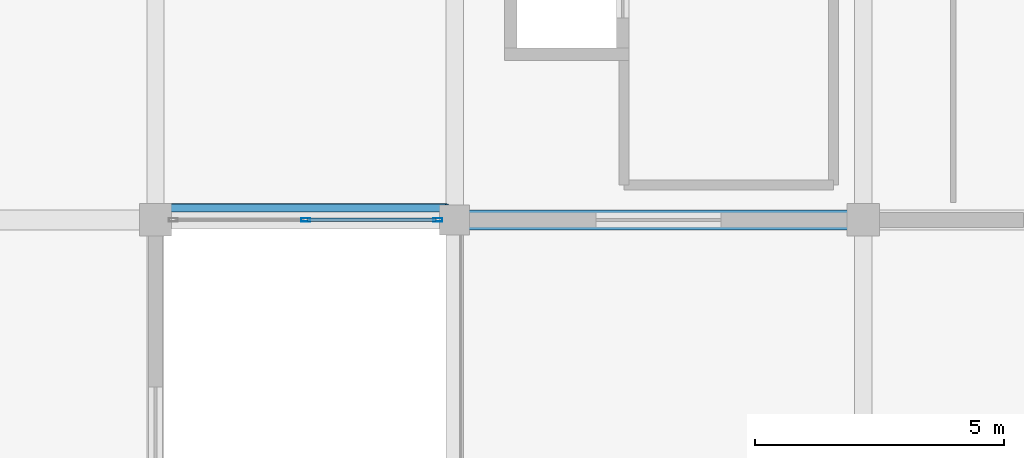
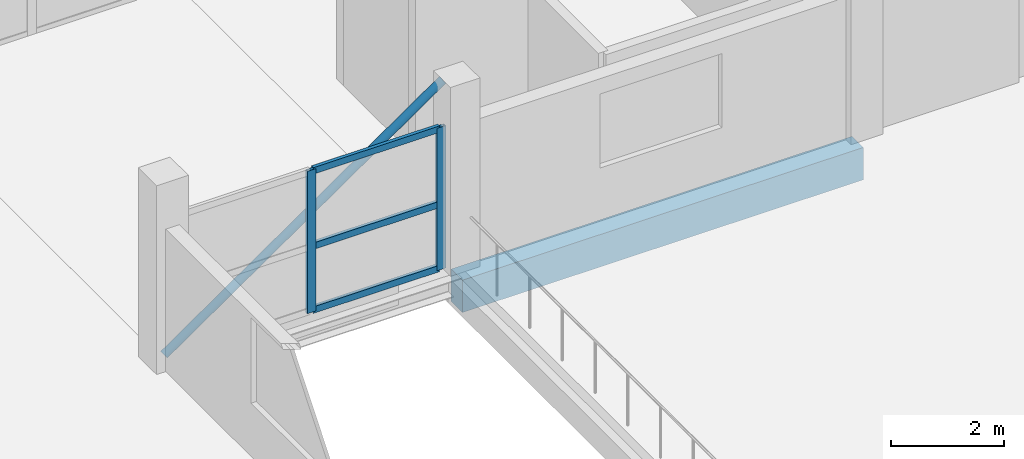
# One storey, part 14 of 53: 6 members, 1 beam, 1 element without a shape of its own.
"""IFC4 building model written with IfcOpenShell, lengths in metres."""

from ifc_helpers import new_model, si_unit, direction, frame, origin, origin_2d, place, context, subcontext, project, spatial, rectangle, hollow_rectangle, hollow_circle, extrude, material, layer, layer_set, material_profile, profile_set, type_object, element, aggregate, save


model = new_model("IFC4")

# Units and contexts
model_context = context("Model", 3, precision=1e-05, world=origin(), true_north=direction((0.0, 1.0)))
body_context = subcontext(model_context, "Body", "Model", "MODEL_VIEW")
ifc_project = project(units=[si_unit("LENGTHUNIT", "METRE"), si_unit("AREAUNIT", "SQUARE_METRE"), si_unit("VOLUMEUNIT", "CUBIC_METRE"), si_unit("PLANEANGLEUNIT", "RADIAN"), si_unit("MASSUNIT", "GRAM", prefix="KILO")], contexts=[model_context])

# Site, building, storey
site_placement = place(None, origin())
site = spatial("IfcSite", under=ifc_project, at=site_placement, CompositionType="ELEMENT")
building_placement = place(site_placement, origin())
building = spatial("IfcBuilding", under=site, at=building_placement, Name="Sillaruma Civic Art Gallery", CompositionType="ELEMENT")
storey_placement = place(building_placement, frame((0.0, 0.0, 70.3798828125)))
storey = spatial("IfcBuildingStorey", under=building, at=storey_placement, Name="L14", CompositionType="ELEMENT", Elevation=70.3798828125)

# Beam
ifc_material_1 = material(Name="Concrete H35 (35 MPa)", Category="concrete")
ifc_material_profile_1 = material_profile(ifc_material_1, rectangle(XDim=0.39990234375, YDim=0.699951171875, at=origin_2d()), Name="RCB400x700")
ifc_profile_set_1 = profile_set([ifc_material_profile_1], Name="Concrete H35 (35 MPa)")
beam_type = type_object("IfcBeamType", Name="BM-BEAM-RCB400x700", PredefinedType="BEAM", material=ifc_profile_set_1)
beam_placement = place(storey_placement, frame((98.0, 39.60009765625, -0.599853515625), z_axis=(1.0, 0.0, 0.0), x_axis=(0.0, 1.0, 0.0)))
element("IfcBeam", 1, at=beam_placement, inside=storey, type_object=beam_type, Name="Beam BM-04 (L13:5:L-M)", PredefinedType="BEAM", context=body_context, shape_type="SweptSolid", body=[
    extrude(rectangle(XDim=0.39990234375, YDim=0.699951171875, at=origin_2d()), origin(), (0.0, 0.0, 1.0), 8.199951171875),
])

# Member
ifc_material_2 = material(Name="Structural Steel ASTM A500 Gr.C", Category="steel")
ifc_material_profile_2 = material_profile(ifc_material_2, hollow_circle(Radius=0.084228515625, WallThickness=0.007080078125, at=origin_2d()), Name="CHS168.3x7.1")
ifc_profile_set_2 = profile_set([ifc_material_profile_2], Name="Structural Steel ASTM A500 Gr.C")
member_type_1 = type_object("IfcMemberType", Name="MEM-BRIDGE-BRACE", PredefinedType="BRACE", material=ifc_profile_set_2)
member_1_placement = place(storey_placement, frame((92.14990234375, 39.840087890625, -0.079833984375), z_axis=(0.821944981473, 0.0, 0.569566894606), x_axis=(0.0, 1.0, 0.0)))
element("IfcMember", 2, at=member_1_placement, inside=storey, type_object=member_type_1, Name="Sky-Bridge Elevation Truss Web Brace (BRG-S:L14:S)", PredefinedType="BRACE", context=body_context, shape_type="SweptSolid", body=[
    extrude(hollow_circle(Radius=0.084228515625, WallThickness=0.007080078125, at=origin_2d()), origin(), (0.0, 0.0, 1.0), 6.93505859375),
])

# Curtain wall, members
ifc_material_3 = material(Name="Thermally Broken Extruded Aluminium 6063-T6", Category="aluminium")
ifc_layer = layer(ifc_material_3, 0.179931640625, Name="Thermally Broken Extruded Aluminium 6063-T6")
ifc_layer_set = layer_set([ifc_layer], Name="Thermally Broken Extruded Aluminium 6063-T6")
curtain_wall_type = type_object("IfcCurtainWallType", Name="CW-UNI-110", PredefinedType="NOTDEFINED", material=ifc_layer_set)
curtain_wall_placement = place(storey_placement, origin())
curtain_wall = element("IfcCurtainWall", 3, at=curtain_wall_placement, inside=storey, type_object=curtain_wall_type, Name="Unitised Curtain Wall CW-110 (CW-BRG-S-L14-S)", PredefinedType="NOTDEFINED")
ifc_material_profile_3 = material_profile(ifc_material_3, hollow_rectangle(XDim=0.070068359375, YDim=0.179931640625, WallThickness=0.00390625, at=origin_2d()), Name="CWM70x180")
ifc_profile_set_3 = profile_set([ifc_material_profile_3], Name="Thermally Broken Extruded Aluminium 6063-T6")
member_type_2 = type_object("IfcMemberType", Name="MEM-MUL-CWM70x180", PredefinedType="MULLION", material=ifc_profile_set_3)
member_2_placement = place(storey_placement, frame((95.012451171875, 39.60009765625, 0.0), z_axis=(0.0, 0.0, 1.0), x_axis=(0.0, 1.0, 0.0)))
member_2 = element("IfcMember", 4, at=member_2_placement, type_object=member_type_2, Name="CW-110 mullion 2", PredefinedType="MULLION", context=body_context, shape_type="SweptSolid", body=[
    extrude(hollow_rectangle(XDim=0.070068359375, YDim=0.179931640625, WallThickness=0.00390625, at=origin_2d()), origin(), (0.0, 0.0, 1.0), 3.080078125),
])
member_3_placement = place(storey_placement, frame((97.6650390625, 39.60009765625, 0.0), z_axis=(0.0, 0.0, 1.0), x_axis=(0.0, 1.0, 0.0)))
member_3 = element("IfcMember", 5, at=member_3_placement, type_object=member_type_2, Name="CW-110 mullion 3", PredefinedType="MULLION", context=body_context, shape_type="SweptSolid", body=[
    extrude(hollow_rectangle(XDim=0.070068359375, YDim=0.179931640625, WallThickness=0.00390625, at=origin_2d()), origin(), (0.0, 0.0, 1.0), 3.080078125),
])
ifc_material_profile_4 = material_profile(ifc_material_3, hollow_rectangle(XDim=0.070068359375, YDim=0.139892578125, WallThickness=0.00390625, at=origin_2d()), Name="CWT70x140")
ifc_profile_set_4 = profile_set([ifc_material_profile_4], Name="Thermally Broken Extruded Aluminium 6063-T6")
member_type_3 = type_object("IfcMemberType", Name="MEM-TRN-CWT70x140", PredefinedType="USERDEFINED", material=ifc_profile_set_4)
member_4_placement = place(storey_placement, frame((95.047607421875, 39.60009765625, 0.03515625), z_axis=(1.0, 0.0, 0.0), x_axis=(0.0, 1.0, 0.0)))
member_4 = element("IfcMember", 6, at=member_4_placement, type_object=member_type_3, Name="CW-110 transom 2.1", ObjectType="TRANSOM", PredefinedType="USERDEFINED", context=body_context, shape_type="SweptSolid", body=[
    extrude(hollow_rectangle(XDim=0.070068359375, YDim=0.139892578125, WallThickness=0.00390625, at=origin_2d()), origin(), (0.0, 0.0, 1.0), 2.582275390625),
])
member_5_placement = place(storey_placement, frame((95.047607421875, 39.60009765625, 1.4169921875), z_axis=(1.0, 0.0, 0.0), x_axis=(0.0, 1.0, 0.0)))
member_5 = element("IfcMember", 7, at=member_5_placement, type_object=member_type_3, Name="CW-110 transom 2.2", ObjectType="TRANSOM", PredefinedType="USERDEFINED", context=body_context, shape_type="SweptSolid", body=[
    extrude(hollow_rectangle(XDim=0.070068359375, YDim=0.139892578125, WallThickness=0.00390625, at=origin_2d()), origin(), (0.0, 0.0, 1.0), 2.582275390625),
])
member_6_placement = place(storey_placement, frame((95.047607421875, 39.60009765625, 3.045166015625), z_axis=(1.0, 0.0, 0.0), x_axis=(0.0, 1.0, 0.0)))
member_6 = element("IfcMember", 8, at=member_6_placement, type_object=member_type_3, Name="CW-110 transom 2.3", ObjectType="TRANSOM", PredefinedType="USERDEFINED", context=body_context, shape_type="SweptSolid", body=[
    extrude(hollow_rectangle(XDim=0.070068359375, YDim=0.139892578125, WallThickness=0.00390625, at=origin_2d()), origin(), (0.0, 0.0, 1.0), 2.582275390625),
])
aggregate(curtain_wall, [member_2, member_3, member_4, member_5, member_6])

save(model, "model.ifc")
